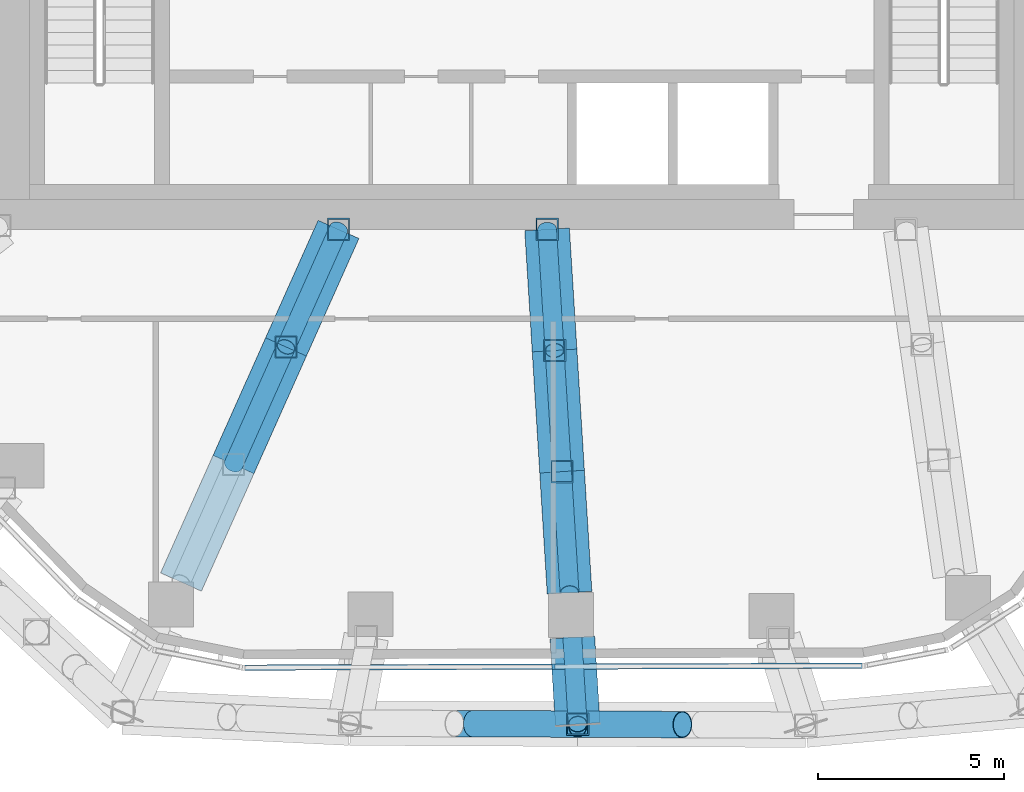
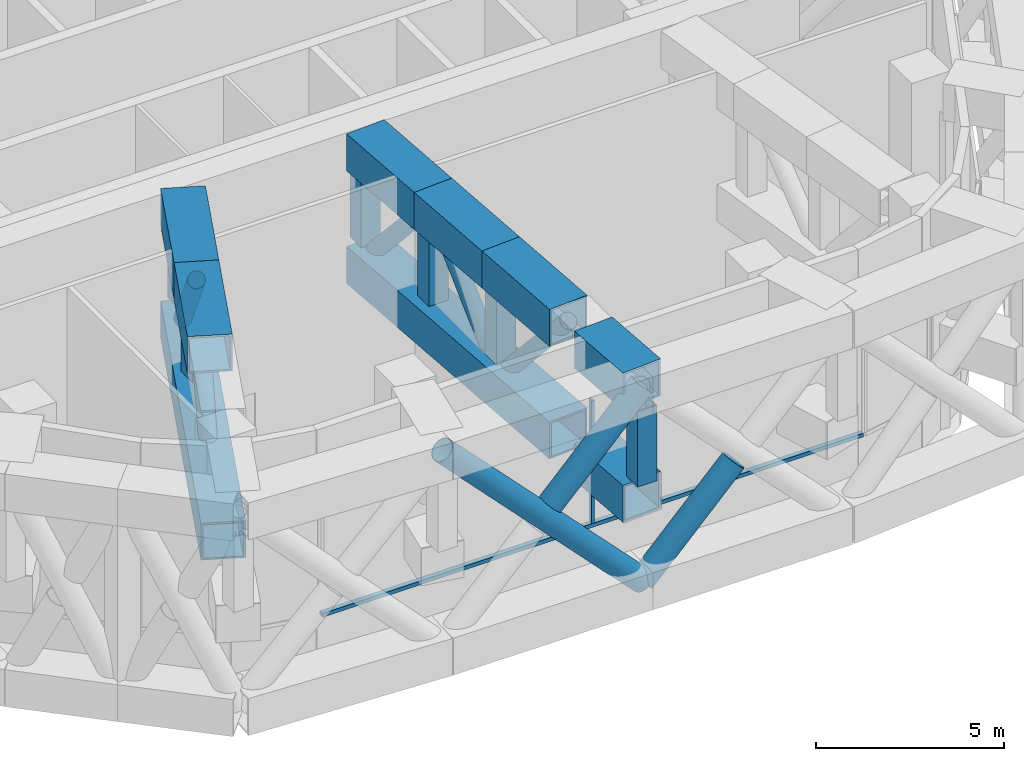
# One storey, part 3 of 21: 26 members, 1 element without a shape of its own.
"""IFC4 building model written with IfcOpenShell, lengths in metres."""

from ifc_helpers import new_model, si_unit, direction, frame, origin, origin_2d, place, context, subcontext, project, spatial, rectangle, hollow_rectangle, hollow_circle, extrude, material, layer, layer_set, material_profile, profile_set, type_object, element, aggregate, save


model = new_model("IFC4")

# Units and contexts
model_context = context("Model", 3, precision=1e-05, world=origin(), true_north=direction((0.0, 1.0)))
body_context = subcontext(model_context, "Body", "Model", "MODEL_VIEW")
ifc_project = project(units=[si_unit("LENGTHUNIT", "METRE"), si_unit("AREAUNIT", "SQUARE_METRE"), si_unit("VOLUMEUNIT", "CUBIC_METRE"), si_unit("PLANEANGLEUNIT", "RADIAN"), si_unit("MASSUNIT", "GRAM", prefix="KILO")], contexts=[model_context])

# Site, building, storey
site_placement = place(None, origin())
site = spatial("IfcSite", under=ifc_project, at=site_placement, CompositionType="ELEMENT")
building_placement = place(site_placement, origin())
building = spatial("IfcBuilding", under=site, at=building_placement, Name="Dongbaek Canopy Tower", CompositionType="ELEMENT")
storey_placement = place(building_placement, frame((0.0, 0.0, 220.60009765625)))
storey = spatial("IfcBuildingStorey", under=building, at=storey_placement, Name="L46", CompositionType="ELEMENT", Elevation=220.60009765625)

# Members
ifc_material_1 = material(Name="Steel S355", Category="steel")
ifc_material_profile_1 = material_profile(ifc_material_1, hollow_circle(Radius=0.35546875, WallThickness=0.02001953125, at=origin_2d()), Name="BELT BRACE CHS 711.0x20.0 Steel S355")
ifc_profile_set_1 = profile_set([ifc_material_profile_1], Name="Steel S355")
member_type_1 = type_object("IfcMemberType", Name="BELT BRACE CHS 711.0x20.0 Steel S355", PredefinedType="BRACE", material=ifc_profile_set_1)
member_1_placement = place(storey_placement, frame((1.501953125, -24.27197265625, 0.599853515625), z_axis=(0.693568667538, -0.003193669798, 0.72038344226), x_axis=(0.004604642756, 0.999989398576, 0.0)))
element("IfcMember", 1, at=member_1_placement, inside=storey, type_object=member_type_1, Name="BELT:L46:1:D0:1", PredefinedType="BRACE", context=body_context, shape_type="SweptSolid", body=[
    extrude(hollow_circle(Radius=0.35546875, WallThickness=0.02001953125, at=origin_2d()), origin(), (0.0, 0.0, 1.0), 4.051513671875),
])
member_2_placement = place(storey_placement, frame((1.501953125, -24.27197265625, 0.599853515625), z_axis=(-0.693499755639, 0.002936093545, 0.720450878467), x_axis=(-0.00423369613, -0.999991037868, 0.0)))
element("IfcMember", 2, at=member_2_placement, inside=storey, type_object=member_type_1, Name="BELT:L46:2:D0:0", PredefinedType="BRACE", context=body_context, shape_type="SweptSolid", body=[
    extrude(hollow_circle(Radius=0.35546875, WallThickness=0.02001953125, at=origin_2d()), origin(), (0.0, 0.0, 1.0), 8.81396484375),
])
member_3_placement = place(storey_placement, frame((1.501953125, -24.27197265625, 6.949951171875), z_axis=(-0.693506630278, 0.002952887112, -0.720444192299), x_axis=(-0.004257868946, -0.999990935235, 0.0)))
element("IfcMember", 3, at=member_3_placement, inside=storey, type_object=member_type_1, Name="BELT:L46:2:D0:2", PredefinedType="BRACE", context=body_context, shape_type="SweptSolid", body=[
    extrude(hollow_circle(Radius=0.35546875, WallThickness=0.02001953125, at=origin_2d()), origin(), (0.0, 0.0, 1.0), 4.05126953125),
])

# Curtain wall, members
ifc_material_2 = material(Name="Aluminium 6063-T6 pale anodised", Category="aluminium")
ifc_layer = layer(ifc_material_2, 0.14990234375)
ifc_layer_set = layer_set([ifc_layer], Name="CW-7 louvre curtain wall")
curtain_wall_type = type_object("IfcCurtainWallType", Name="CW-7 louvre curtain wall", PredefinedType="NOTDEFINED", material=ifc_layer_set)
curtain_wall_placement = place(storey_placement, origin())
curtain_wall = element("IfcCurtainWall", 4, at=curtain_wall_placement, inside=storey, type_object=curtain_wall_type, Name="CW-7 louvre wall L46 F4", PredefinedType="NOTDEFINED")
ifc_material_3 = material(Name="Aluminium 6063-T6 pale anodised", Category="aluminium")
ifc_material_profile_2 = material_profile(ifc_material_3, rectangle(XDim=0.14990234375, YDim=0.080078125, at=origin_2d()), Name="CW-7 mullion 80 x 150")
ifc_profile_set_2 = profile_set([ifc_material_profile_2], Name="Aluminium 6063-T6 pale anodised")
member_type_2 = type_object("IfcMemberType", Name="CW-7 mullion 80 x 150", PredefinedType="MULLION", material=ifc_profile_set_2)
member_4_placement = place(storey_placement, frame((0.851806640625, -22.730712890625, 1.77490234375), z_axis=(0.0, 0.0, 1.0), x_axis=(0.003105553262, -0.999995177758, 0.0)))
member_4 = element("IfcMember", 5, at=member_4_placement, type_object=member_type_2, Name="CW-7 mullion L46 F4.1.2", PredefinedType="MULLION", context=body_context, shape_type="SweptSolid", body=[
    extrude(rectangle(XDim=0.14990234375, YDim=0.080078125, at=origin_2d()), origin(), (0.0, 0.0, 1.0), 4.0),
])
ifc_material_4 = material(Name="Aluminium 6063-T6 pale anodised", Category="aluminium")
ifc_material_profile_3 = material_profile(ifc_material_4, rectangle(XDim=0.14990234375, YDim=0.1201171875, at=origin_2d()), Name="CW-7 transom 120 x 150")
ifc_profile_set_3 = profile_set([ifc_material_profile_3], Name="Aluminium 6063-T6 pale anodised")
member_type_3 = type_object("IfcMemberType", Name="CW-7 transom 120 x 150", PredefinedType="USERDEFINED", material=ifc_profile_set_3)
member_5_placement = place(storey_placement, frame((-7.463623046875, -22.75634765625, 1.71484375), z_axis=(0.999995202718, 0.003097505656, 0.0), x_axis=(-0.003097505656, 0.999995202718, 0.0)))
member_5 = element("IfcMember", 6, at=member_5_placement, type_object=member_type_3, Name="CW-7 transom L46 F4.1", ObjectType="TRANSOM", PredefinedType="USERDEFINED", context=body_context, shape_type="SweptSolid", body=[
    extrude(rectangle(XDim=0.14990234375, YDim=0.1201171875, at=origin_2d()), origin(), (0.0, 0.0, 1.0), 16.630615234375),
])
aggregate(curtain_wall, [member_5, member_4])

# Members
ifc_material_5 = material(Name="Steel S355", Category="steel")
ifc_material_profile_4 = material_profile(ifc_material_5, hollow_circle(Radius=0.25390625, WallThickness=0.01611328125, at=origin_2d()), Name="OUTRIGGER BRACE CHS 508.0x16.0 Steel S355")
ifc_profile_set_4 = profile_set([ifc_material_profile_4], Name="Steel S355")
member_type_4 = type_object("IfcMemberType", Name="OUTRIGGER BRACE CHS 508.0x16.0 Steel S355", PredefinedType="BRACE", material=ifc_profile_set_4)
member_6_placement = place(storey_placement, frame((0.6806640625, -11.0, 3.2998046875), z_axis=(0.041081286826, -0.664338816976, 0.746301724593), x_axis=(0.998093505873, 0.061719960578, 0.0)))
element("IfcMember", 7, at=member_6_placement, inside=storey, type_object=member_type_4, Name="TRUSS:L46:2:D0", PredefinedType="BRACE", context=body_context, shape_type="SweptSolid", body=[
    extrude(hollow_circle(Radius=0.25390625, WallThickness=0.01611328125, at=origin_2d()), origin(), (0.0, 0.0, 1.0), 4.890869140625),
])
member_7_placement = place(storey_placement, frame((0.881591796875, -14.249267578125, 6.949951171875), z_axis=(0.041129754993, -0.664365338537, -0.746275445264), x_axis=(0.998089169641, 0.061790043259, 0.0)))
element("IfcMember", 8, at=member_7_placement, inside=storey, type_object=member_type_4, Name="TRUSS:L46:2:D1", PredefinedType="BRACE", context=body_context, shape_type="SweptSolid", body=[
    extrude(hollow_circle(Radius=0.25390625, WallThickness=0.01611328125, at=origin_2d()), origin(), (0.0, 0.0, 1.0), 4.89111328125),
])
member_8_placement = place(storey_placement, frame((1.082763671875, -17.498779296875, 3.2998046875), z_axis=(0.041131118939, -0.664337453837, 0.746300193276), x_axis=(0.998088883304, 0.061794668258, 0.0)))
element("IfcMember", 9, at=member_8_placement, inside=storey, type_object=member_type_4, Name="TRUSS:L46:2:D2", PredefinedType="BRACE", context=body_context, shape_type="SweptSolid", body=[
    extrude(hollow_circle(Radius=0.25390625, WallThickness=0.01611328125, at=origin_2d()), origin(), (0.0, 0.0, 1.0), 4.890869140625),
])
member_9_placement = place(storey_placement, frame((1.358154296875, -21.947998046875, 3.2998046875), z_axis=(0.033213252176, -0.536769010971, 0.843075268728), x_axis=(0.998091144535, 0.061758134692, 0.0)))
element("IfcMember", 10, at=member_9_placement, inside=storey, type_object=member_type_4, Name="TRUSS:L46:2s:D0", PredefinedType="BRACE", context=body_context, shape_type="SweptSolid", body=[
    extrude(hollow_circle(Radius=0.25390625, WallThickness=0.01611328125, at=origin_2d()), origin(), (0.0, 0.0, 1.0), 4.32958984375),
])
member_10_placement = place(storey_placement, frame((-4.913818359375, -11.0, 3.2998046875), z_axis=(-0.280315148666, -0.627575578937, 0.726341730971), x_axis=(0.913057993992, -0.407829743407, 0.0)))
element("IfcMember", 11, at=member_10_placement, inside=storey, type_object=member_type_4, Name="TRUSS:L46:4:D0", PredefinedType="BRACE", context=body_context, shape_type="SweptSolid", body=[
    extrude(hollow_circle(Radius=0.25390625, WallThickness=0.01611328125, at=origin_2d()), origin(), (0.0, 0.0, 1.0), 5.025390625),
])
member_11_placement = place(storey_placement, frame((-6.322509765625, -14.15380859375, 6.949951171875), z_axis=(-0.280323695129, -0.627546129979, -0.726363876234), x_axis=(0.913046236819, -0.4078560646, 0.0)))
element("IfcMember", 12, at=member_11_placement, inside=storey, type_object=member_type_4, Name="TRUSS:L46:4:D1", PredefinedType="BRACE", context=body_context, shape_type="SweptSolid", body=[
    extrude(hollow_circle(Radius=0.25390625, WallThickness=0.01611328125, at=origin_2d()), origin(), (0.0, 0.0, 1.0), 5.025146484375),
])
ifc_material_6 = material(Name="Steel S355", Category="steel")
ifc_material_profile_5 = material_profile(ifc_material_6, hollow_rectangle(XDim=1.199951171875, YDim=1.199951171875, WallThickness=0.06005859375, at=origin_2d()), Name="OUTRIGGER CHORD BOX 1200x1200x60 Steel S355")
ifc_profile_set_5 = profile_set([ifc_material_profile_5], Name="Steel S355")
member_type_5 = type_object("IfcMemberType", Name="OUTRIGGER CHORD BOX 1200x1200x60 Steel S355", PredefinedType="CHORD", material=ifc_profile_set_5)
member_12_placement = place(storey_placement, frame((0.6806640625, -11.0, 3.2998046875), z_axis=(0.061768224687, -0.998090520153, 0.0), x_axis=(0.998090520153, 0.061768224687, 0.0)))
element("IfcMember", 13, at=member_12_placement, inside=storey, type_object=member_type_5, Name="TRUSS:L46:2:CB", PredefinedType="CHORD", context=body_context, shape_type="SweptSolid", body=[
    extrude(hollow_rectangle(XDim=1.199951171875, YDim=1.199951171875, WallThickness=0.06005859375, at=origin_2d()), origin(), (0.0, 0.0, 1.0), 9.7666015625),
])
member_13_placement = place(storey_placement, frame((0.6806640625, -11.0, 6.949951171875), z_axis=(0.061719960578, -0.998093505873, 0.0), x_axis=(0.998093505873, 0.061719960578, 0.0)))
element("IfcMember", 14, at=member_13_placement, inside=storey, type_object=member_type_5, Name="TRUSS:L46:2:CT0", PredefinedType="CHORD", context=body_context, shape_type="SweptSolid", body=[
    extrude(hollow_rectangle(XDim=1.199951171875, YDim=1.199951171875, WallThickness=0.06005859375, at=origin_2d()), origin(), (0.0, 0.0, 1.0), 3.25537109375),
])
member_14_placement = place(storey_placement, frame((0.881591796875, -14.249267578125, 6.949951171875), z_axis=(0.061790043259, -0.998089169641, 0.0), x_axis=(0.998089169641, 0.061790043259, 0.0)))
element("IfcMember", 15, at=member_14_placement, inside=storey, type_object=member_type_5, Name="TRUSS:L46:2:CT1", PredefinedType="CHORD", context=body_context, shape_type="SweptSolid", body=[
    extrude(hollow_rectangle(XDim=1.199951171875, YDim=1.199951171875, WallThickness=0.06005859375, at=origin_2d()), origin(), (0.0, 0.0, 1.0), 3.255615234375),
])
member_15_placement = place(storey_placement, frame((1.082763671875, -17.498779296875, 6.949951171875), z_axis=(0.061794668258, -0.998088883304, 0.0), x_axis=(0.998088883304, 0.061794668258, 0.0)))
element("IfcMember", 16, at=member_15_placement, inside=storey, type_object=member_type_5, Name="TRUSS:L46:2:CT2", PredefinedType="CHORD", context=body_context, shape_type="SweptSolid", body=[
    extrude(hollow_rectangle(XDim=1.199951171875, YDim=1.199951171875, WallThickness=0.06005859375, at=origin_2d()), origin(), (0.0, 0.0, 1.0), 3.25537109375),
])
for number, where, z_axis, x_axis, name in (
    (17, (1.358154296875, -21.947998046875, 3.2998046875), (0.061758134692, -0.998091144535, 0.0), (0.998091144535, 0.061758134692, 0.0), "TRUSS:L46:2s:CB"),
    (18, (1.358154296875, -21.947998046875, 6.949951171875), (0.061758134692, -0.998091144535, 0.0), (0.998091144535, 0.061758134692, 0.0), "TRUSS:L46:2s:CT0"),
):
    element("IfcMember", number, at=place(storey_placement, frame(where, z_axis=z_axis, x_axis=x_axis)), inside=storey, type_object=member_type_5, Name=name, PredefinedType="CHORD", context=body_context, shape_type="SweptSolid", body=[
        extrude(hollow_rectangle(XDim=1.199951171875, YDim=1.199951171875, WallThickness=0.06005859375, at=origin_2d()), origin(), (0.0, 0.0, 1.0), 2.328369140625),
    ])
member_16_placement = place(storey_placement, frame((-4.913818359375, -11.0, 3.2998046875), z_axis=(-0.407847290529, -0.913050156129, 0.0), x_axis=(0.913050156129, -0.407847290529, 0.0)))
element("IfcMember", 19, at=member_16_placement, inside=storey, type_object=member_type_5, Name="TRUSS:L46:4:CB", PredefinedType="CHORD", context=body_context, shape_type="SweptSolid", body=[
    extrude(hollow_rectangle(XDim=1.199951171875, YDim=1.199951171875, WallThickness=0.06005859375, at=origin_2d()), origin(), (0.0, 0.0, 1.0), 10.36181640625),
])
member_17_placement = place(storey_placement, frame((-4.913818359375, -11.0, 6.949951171875), z_axis=(-0.407829743407, -0.913057993992, 0.0), x_axis=(0.913057993992, -0.407829743407, 0.0)))
element("IfcMember", 20, at=member_17_placement, inside=storey, type_object=member_type_5, Name="TRUSS:L46:4:CT0", PredefinedType="CHORD", context=body_context, shape_type="SweptSolid", body=[
    extrude(hollow_rectangle(XDim=1.199951171875, YDim=1.199951171875, WallThickness=0.06005859375, at=origin_2d()), origin(), (0.0, 0.0, 1.0), 3.4541015625),
])
member_18_placement = place(storey_placement, frame((-6.322509765625, -14.15380859375, 6.949951171875), z_axis=(-0.4078560646, -0.913046236819, 0.0), x_axis=(0.913046236819, -0.4078560646, 0.0)))
element("IfcMember", 21, at=member_18_placement, inside=storey, type_object=member_type_5, Name="TRUSS:L46:4:CT1", PredefinedType="CHORD", context=body_context, shape_type="SweptSolid", body=[
    extrude(hollow_rectangle(XDim=1.199951171875, YDim=1.199951171875, WallThickness=0.06005859375, at=origin_2d()), origin(), (0.0, 0.0, 1.0), 3.453857421875),
])
ifc_material_7 = material(Name="Steel S355", Category="steel")
ifc_material_profile_6 = material_profile(ifc_material_7, hollow_rectangle(XDim=0.60009765625, YDim=0.60009765625, WallThickness=0.031982421875, at=origin_2d()), Name="OUTRIGGER POST BOX 600x600x32 Steel S355")
ifc_profile_set_6 = profile_set([ifc_material_profile_6], Name="Steel S355")
member_type_6 = type_object("IfcMemberType", Name="OUTRIGGER POST BOX 600x600x32 Steel S355", PredefinedType="POST", material=ifc_profile_set_6)
for number, where, z_axis, x_axis, name in (
    (22, (0.6806640625, -11.0, 3.89990234375), (0.0, 0.0, 1.0), (1.0, 0.0, 0.0), "TRUSS:L46:2:P0"),
    (23, (0.881591796875, -14.249267578125, 3.89990234375), (0.0, 0.0, 1.0), (1.0, 0.0, 0.0), "TRUSS:L46:2:P1"),
    (24, (1.082763671875, -17.498779296875, 3.89990234375), (0.0, 0.0, 1.0), (1.0, 0.0, 0.0), "TRUSS:L46:2:P2"),
    (25, (1.501953125, -24.27197265625, 3.89990234375), (0.0, 0.0, 1.0), (1.0, 0.0, 0.0), "TRUSS:L46:2s:P1"),
    (26, (-4.913818359375, -11.0, 3.89990234375), (0.0, 0.0, 1.0), (1.0, 0.0, 0.0), "TRUSS:L46:4:P0"),
    (27, (-6.322509765625, -14.15380859375, 3.89990234375), (0.0, 0.0, 1.0), (1.0, 0.0, 0.0), "TRUSS:L46:4:P1"),
):
    element("IfcMember", number, at=place(storey_placement, frame(where, z_axis=z_axis, x_axis=x_axis)), inside=storey, type_object=member_type_6, Name=name, PredefinedType="POST", context=body_context, shape_type="SweptSolid", body=[
        extrude(hollow_rectangle(XDim=0.60009765625, YDim=0.60009765625, WallThickness=0.031982421875, at=origin_2d()), origin(), (0.0, 0.0, 1.0), 2.449951171875),
    ])

save(model, "model.ifc")
